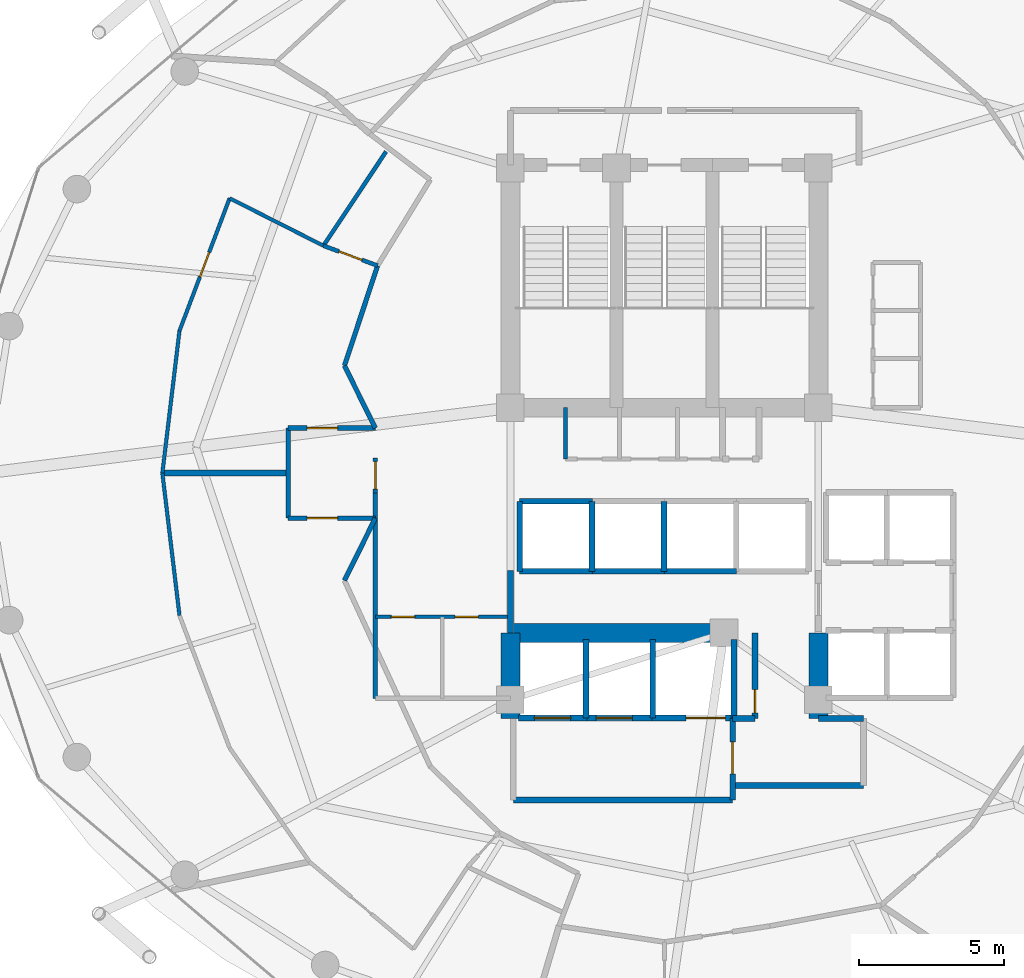
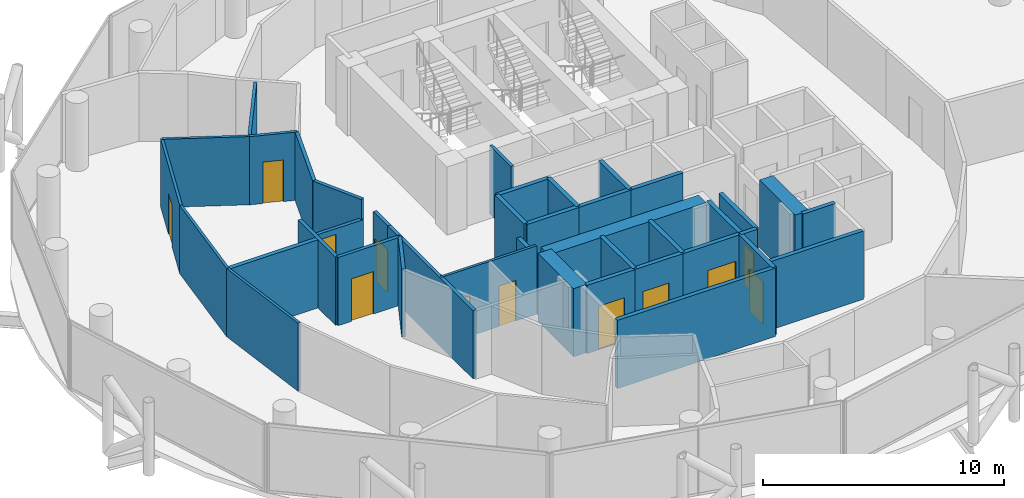
# One storey, part 22 of 26: 40 walls, 12 doors, 12 openings.
"""IFC4 building model written with IfcOpenShell, lengths in metres."""

from ifc_helpers import new_model, si_unit, direction, frame, frame_2d, origin, place, context, subcontext, project, spatial, rectangle, extrude, material, layer, layer_set, type_object, element, fill, save


model = new_model("IFC4")

# Units and contexts
model_context = context("Model", 3, precision=1e-05, world=origin(), true_north=direction((0.0, 1.0)))
body_context = subcontext(model_context, "Body", "Model", "MODEL_VIEW")
ifc_project = project(units=[si_unit("LENGTHUNIT", "METRE"), si_unit("AREAUNIT", "SQUARE_METRE"), si_unit("VOLUMEUNIT", "CUBIC_METRE"), si_unit("PLANEANGLEUNIT", "RADIAN"), si_unit("MASSUNIT", "GRAM", prefix="KILO")], contexts=[model_context])

# Site, building, storey
site_placement = place(None, origin())
site = spatial("IfcSite", under=ifc_project, at=site_placement, CompositionType="ELEMENT")
building_placement = place(site_placement, origin())
building = spatial("IfcBuilding", under=site, at=building_placement, Name="Nuhasar Tower", CompositionType="ELEMENT")
storey_placement = place(building_placement, frame((0.0, 0.0, 170.050048828125)))
storey = spatial("IfcBuildingStorey", under=building, at=storey_placement, Name="L41", CompositionType="ELEMENT", Elevation=170.050048828125)

# Walls
ifc_material_1 = material(Name="Concrete C65/80", Category="concrete")
ifc_layer_1 = layer(ifc_material_1, 0.64990234375)
ifc_layer_set_1 = layer_set([ifc_layer_1], Name="Concrete C65/80")
wall_type_1 = type_object("IfcWallType", Name="WL-CORE-650", PredefinedType="SHEAR", material=ifc_layer_set_1)
for number, where, z_axis, x_axis, name in (
    (1, (33.699951171875, 18.35009765625, 0.0), (0.0, 0.0, 1.0), (0.0, 1.0, 0.0), "L41 Core Shear Wall CW-SW CW-650"),
    (2, (44.300048828125, 18.35009765625, 0.0), (0.0, 0.0, 1.0), (0.0, 1.0, 0.0), "L41 Core Shear Wall CW-SE CW-650"),
):
    element("IfcWall", number, at=place(storey_placement, frame(where, z_axis=z_axis, x_axis=x_axis)), inside=storey, type_object=wall_type_1, Name=name, PredefinedType="SHEAR", context=body_context, shape_type="SweptSolid", body=[
        extrude(rectangle(XDim=2.949951171875, YDim=0.64990234375, at=frame_2d((1.47509765625, 0.0))), origin(), (0.0, 0.0, 1.0), 3.449951171875),
    ])
wall_1_placement = place(storey_placement, frame((33.699951171875, 21.300048828125, 0.0), z_axis=(0.0, 0.0, 1.0), x_axis=(1.0, 0.0, 0.0)))
element("IfcWall", 3, at=wall_1_placement, inside=storey, type_object=wall_type_1, Name="L41 Core Shear Wall CW-S1 CW-650", PredefinedType="SHEAR", context=body_context, shape_type="SweptSolid", body=[
    extrude(rectangle(XDim=7.550048828125, YDim=0.64990234375, at=frame_2d((3.77490234375, 0.0))), origin(), (0.0, 0.0, 1.0), 3.449951171875),
])
ifc_material_2 = material(Name="Gypsum Board", Category="gypsum")
ifc_layer_2 = layer(ifc_material_2, 0.159912109375)
ifc_layer_set_2 = layer_set([ifc_layer_2], Name="Gypsum Board")
wall_type_2 = type_object("IfcWallType", Name="WL-CORR-160", PredefinedType="PARTITIONING", material=ifc_layer_set_2)
wall_2_placement = place(storey_placement, frame((29.050048828125, 19.050048828125, 0.0), z_axis=(0.0, 0.0, 1.0), x_axis=(0.0, 1.0, 0.0)))
element("IfcWall", 4, at=wall_2_placement, inside=storey, type_object=wall_type_2, Name="L41 Interior Partition RECL-B1-W", PredefinedType="PARTITIONING", context=body_context, shape_type="SweptSolid", body=[
    extrude(rectangle(XDim=7.070068359375, YDim=0.159912109375, at=frame_2d((3.53515625, 0.0))), origin(), (0.0, 0.0, 1.0), 3.449951171875),
])

# Wall, opening, door
wall_3_placement = place(storey_placement, frame((29.050048828125, 26.1201171875, 0.0), z_axis=(0.0, 0.0, 1.0), x_axis=(0.0, 1.0, 0.0)))
wall_3 = element("IfcWall", 5, at=wall_3_placement, inside=storey, type_object=wall_type_2, Name="L41 Interior Partition WVEST-E", PredefinedType="PARTITIONING", context=body_context, shape_type="SweptSolid", body=[
    extrude(rectangle(XDim=1.199951171875, YDim=0.159912109375, at=frame_2d((0.60009765625, 0.0))), origin(), (0.0, 0.0, 1.0), 3.449951171875),
])
opening_1_placement = place(wall_3_placement, frame((0.125, 0.0, 0.0)))
opening_1 = element("IfcOpeningElement", 6, at=opening_1_placement, cuts=wall_3, Name="Opening DO-01", PredefinedType="OPENING", context=body_context, shape_type="SweptSolid", body=[
    extrude(rectangle(XDim=0.949951171875, YDim=2.14990234375, at=frame_2d((0.47509765625, 1.074951171875))), frame((0.0, 0.08984375, 0.0), z_axis=(0.0, -1.0, 0.0), x_axis=(1.0, 0.0, 0.0)), (0.0, 0.0, 1.0), 0.179931640625),
])
ifc_material_3 = material(Name="Timber Oak", Category="wood")
door_type_1 = type_object("IfcDoorType", Name="DR-OFFICE-FD30-950", OperationType="NOTDEFINED", PredefinedType="DOOR", material=ifc_material_3)
door_1_placement = place(opening_1_placement, origin())
door_1 = element("IfcDoor", 7, at=door_1_placement, inside=storey, type_object=door_type_1, Name="L41 West Arrival Foyer Core Door", OperationType="SINGLE_SWING_RIGHT", OverallHeight=2.14990234375, OverallWidth=0.949951171875, PredefinedType="DOOR", context=body_context, shape_type="SweptSolid", body=[
    extrude(rectangle(XDim=0.949951171875, YDim=2.14990234375, at=frame_2d((0.47509765625, 1.074951171875))), frame((0.0, 0.02490234375, 0.0), z_axis=(0.0, -1.0, 0.0), x_axis=(1.0, 0.0, 0.0)), (0.0, 0.0, 1.0), 0.050048828125),
])
fill(opening_1, door_1)

# Wall
wall_4_placement = place(storey_placement, frame((29.126953125, 33.93994140625, 0.0), z_axis=(0.0, 0.0, 1.0), x_axis=(-0.313985571683, -0.949427754374, 0.0)))
element("IfcWall", 8, at=wall_4_placement, inside=storey, type_object=wall_type_2, Name="L41 Interior Partition HWEST-CORE-N-20", PredefinedType="PARTITIONING", context=body_context, shape_type="SweptSolid", body=[
    extrude(rectangle(XDim=3.627197265625, YDim=0.159912109375, at=frame_2d((1.8134765625, 0.0))), origin(), (0.0, 0.0, 1.0), 3.449951171875),
])

# Wall, opening, door
wall_5_placement = place(storey_placement, frame((26.050048828125, 28.35009765625, 0.0), z_axis=(0.0, 0.0, 1.0), x_axis=(1.0, 0.0, 0.0)))
wall_5 = element("IfcWall", 9, at=wall_5_placement, inside=storey, type_object=wall_type_2, Name="L41 Interior Partition WVEST-N", PredefinedType="PARTITIONING", context=body_context, shape_type="SweptSolid", body=[
    extrude(rectangle(XDim=3.0, YDim=0.159912109375, at=frame_2d((1.5, 0.0))), origin(), (0.0, 0.0, 1.0), 2.43994140625),
])
opening_2_placement = place(wall_5_placement, frame((0.64990234375, 0.0, 0.0)))
opening_2 = element("IfcOpeningElement", 10, at=opening_2_placement, cuts=wall_5, Name="Opening DU-01", PredefinedType="OPENING", context=body_context, shape_type="SweptSolid", body=[
    extrude(rectangle(XDim=1.050048828125, YDim=2.14990234375, at=frame_2d((0.52490234375, 1.074951171875))), frame((0.0, 0.08984375, 0.0), z_axis=(0.0, -1.0, 0.0), x_axis=(1.0, 0.0, 0.0)), (0.0, 0.0, 1.0), 0.179931640625),
])
door_type_2 = type_object("IfcDoorType", Name="DR-SUITE-FD60-1050", OperationType="NOTDEFINED", PredefinedType="DOOR", material=ifc_material_3)
door_2_placement = place(opening_2_placement, origin())
door_2 = element("IfcDoor", 11, at=door_2_placement, inside=storey, type_object=door_type_2, Name="L41 North-West Sunset Suite Entrance", OperationType="SINGLE_SWING_LEFT", OverallHeight=2.14990234375, OverallWidth=1.050048828125, PredefinedType="DOOR", context=body_context, shape_type="SweptSolid", body=[
    extrude(rectangle(XDim=1.050048828125, YDim=2.14990234375, at=frame_2d((0.52490234375, 1.074951171875))), frame((0.0, 0.02490234375, 0.0), z_axis=(0.0, -1.0, 0.0), x_axis=(1.0, 0.0, 0.0)), (0.0, 0.0, 1.0), 0.050048828125),
])
fill(opening_2, door_2)

wall_6_placement = place(storey_placement, frame((26.050048828125, 25.25, 0.0), z_axis=(0.0, 0.0, 1.0), x_axis=(1.0, 0.0, 0.0)))
wall_6 = element("IfcWall", 12, at=wall_6_placement, inside=storey, type_object=wall_type_2, Name="L41 Interior Partition WVEST-S", PredefinedType="PARTITIONING", context=body_context, shape_type="SweptSolid", body=[
    extrude(rectangle(XDim=3.0, YDim=0.159912109375, at=frame_2d((1.5, 0.0))), origin(), (0.0, 0.0, 1.0), 3.449951171875),
])
opening_3_placement = place(wall_6_placement, frame((0.64990234375, 0.0, 0.0)))
opening_3 = element("IfcOpeningElement", 13, at=opening_3_placement, cuts=wall_6, Name="Opening DU-01", PredefinedType="OPENING", context=body_context, shape_type="SweptSolid", body=[
    extrude(rectangle(XDim=1.050048828125, YDim=2.14990234375, at=frame_2d((0.52490234375, 1.074951171875))), frame((0.0, 0.08984375, 0.0), z_axis=(0.0, -1.0, 0.0), x_axis=(1.0, 0.0, 0.0)), (0.0, 0.0, 1.0), 0.179931640625),
])
door_3_placement = place(opening_3_placement, origin())
door_3 = element("IfcDoor", 14, at=door_3_placement, inside=storey, type_object=door_type_2, Name="L41 South-West Presidential Suite Entrance", OperationType="SINGLE_SWING_LEFT", OverallHeight=2.14990234375, OverallWidth=1.050048828125, PredefinedType="DOOR", context=body_context, shape_type="SweptSolid", body=[
    extrude(rectangle(XDim=1.050048828125, YDim=2.14990234375, at=frame_2d((0.52490234375, 1.074951171875))), frame((0.0, 0.02490234375, 0.0), z_axis=(0.0, -1.0, 0.0), x_axis=(1.0, 0.0, 0.0)), (0.0, 0.0, 1.0), 0.050048828125),
])
fill(opening_3, door_3)

# Walls
wall_7_placement = place(storey_placement, frame((26.050048828125, 25.25, 0.0), z_axis=(0.0, 0.0, 1.0), x_axis=(0.0, 1.0, 0.0)))
element("IfcWall", 15, at=wall_7_placement, inside=storey, type_object=wall_type_2, Name="L41 Interior Partition WVEST-W", PredefinedType="PARTITIONING", context=body_context, shape_type="SweptSolid", body=[
    extrude(rectangle(XDim=3.10009765625, YDim=0.159912109375, at=frame_2d((1.550048828125, 0.0))), origin(), (0.0, 0.0, 1.0), 3.449951171875),
])
for number, where, z_axis, x_axis, name in (
    (16, (27.988037109375, 30.49609375, 0.0), (0.0, 0.0, 1.0), (0.443539160525, -0.896254993337, 0.0), "L41 Interior Partition WVEST-CN"),
    (17, (27.988037109375, 23.10400390625, 0.0), (0.0, 0.0, 1.0), (0.443539160525, 0.896254993337, 0.0), "L41 Interior Partition WVEST-CS"),
):
    element("IfcWall", number, at=place(storey_placement, frame(where, z_axis=z_axis, x_axis=x_axis)), inside=storey, type_object=wall_type_2, Name=name, PredefinedType="PARTITIONING", context=body_context, shape_type="SweptSolid", body=[
        extrude(rectangle(XDim=2.394287109375, YDim=0.159912109375, at=frame_2d((1.197265625, 0.0))), origin(), (0.0, 0.0, 1.0), 3.449951171875),
    ])
ifc_material_4 = material(Name="Concrete C45/55", Category="concrete")
ifc_layer_3 = layer(ifc_material_4, 0.199951171875)
ifc_layer_set_3 = layer_set([ifc_layer_3], Name="Concrete C45/55")
wall_type_3 = type_object("IfcWallType", Name="WL-LOBBY-200", PredefinedType="SOLIDWALL", material=ifc_layer_set_3)
wall_8_placement = place(storey_placement, frame((33.699951171875, 21.300048828125, 0.0), z_axis=(0.0, 0.0, 1.0), x_axis=(0.0, 1.0, 0.0)))
element("IfcWall", 18, at=wall_8_placement, inside=storey, type_object=wall_type_3, Name="L41 Interior Partition LLBH-W", PredefinedType="SOLIDWALL", context=body_context, shape_type="SweptSolid", body=[
    extrude(rectangle(XDim=2.14990234375, YDim=0.199951171875, at=frame_2d((1.074951171875, 0.0))), origin(), (0.0, 0.0, 1.0), 2.8349609375),
])
wall_9_placement = place(storey_placement, frame((33.800048828125, 15.550048828125, 0.0), z_axis=(0.0, 0.0, 1.0), x_axis=(1.0, 0.0, 0.0)))
element("IfcWall", 19, at=wall_9_placement, inside=storey, type_object=wall_type_3, Name="L41 Interior Partition FFL-S", PredefinedType="SOLIDWALL", context=body_context, shape_type="SweptSolid", body=[
    extrude(rectangle(XDim=7.550048828125, YDim=0.199951171875, at=frame_2d((3.77490234375, 0.0))), origin(), (0.0, 0.0, 1.0), 3.449951171875),
])

# Wall, opening, door
wall_10_placement = place(storey_placement, frame((41.35009765625, 15.550048828125, 0.0), z_axis=(0.0, 0.0, 1.0), x_axis=(0.0, 1.0, 0.0)))
wall_10 = element("IfcWall", 20, at=wall_10_placement, inside=storey, type_object=wall_type_3, Name="L41 Interior Partition FFL-E", PredefinedType="SOLIDWALL", context=body_context, shape_type="SweptSolid", body=[
    extrude(rectangle(XDim=2.800048828125, YDim=0.199951171875, at=frame_2d((1.39990234375, 0.0))), origin(), (0.0, 0.0, 1.0), 3.449951171875),
])
opening_4_placement = place(wall_10_placement, frame((0.89990234375, 0.0, 0.0)))
opening_4 = element("IfcOpeningElement", 21, at=opening_4_placement, cuts=wall_10, Name="Opening DS-02", PredefinedType="OPENING", context=body_context, shape_type="SweptSolid", body=[
    extrude(rectangle(XDim=1.10009765625, YDim=2.14990234375, at=frame_2d((0.550048828125, 1.074951171875))), frame((0.0, 0.10986328125, 0.0), z_axis=(0.0, -1.0, 0.0), x_axis=(1.0, 0.0, 0.0)), (0.0, 0.0, 1.0), 0.219970703125),
])
ifc_material_5 = material(Name="Steel S355", Category="steel")
door_type_3 = type_object("IfcDoorType", Name="DR-FFL-FD120-1100", OperationType="NOTDEFINED", PredefinedType="DOOR", material=ifc_material_5)
door_4_placement = place(opening_4_placement, origin())
door_4 = element("IfcDoor", 22, at=door_4_placement, inside=storey, type_object=door_type_3, Name="L41 Firefighting Lobby Door", OperationType="SINGLE_SWING_RIGHT", OverallHeight=2.14990234375, OverallWidth=1.10009765625, PredefinedType="DOOR", context=body_context, shape_type="SweptSolid", body=[
    extrude(rectangle(XDim=1.10009765625, YDim=2.14990234375, at=frame_2d((0.550048828125, 1.074951171875))), frame((0.0, 0.02490234375, 0.0), z_axis=(0.0, -1.0, 0.0), x_axis=(1.0, 0.0, 0.0)), (0.0, 0.0, 1.0), 0.050048828125),
])
fill(opening_4, door_4)

# Walls
wall_11_placement = place(storey_placement, frame((41.35009765625, 16.050048828125, 0.0), z_axis=(0.0, 0.0, 1.0), x_axis=(1.0, 0.0, 0.0)))
element("IfcWall", 23, at=wall_11_placement, inside=storey, type_object=wall_type_3, Name="L41 Interior Partition SVLV-S", PredefinedType="SOLIDWALL", context=body_context, shape_type="SweptSolid", body=[
    extrude(rectangle(XDim=4.5, YDim=0.199951171875, at=frame_2d((2.25, 0.0))), origin(), (0.0, 0.0, 1.0), 3.449951171875),
])
wall_12_placement = place(storey_placement, frame((44.300048828125, 18.35009765625, 0.0), z_axis=(0.0, 0.0, 1.0), x_axis=(1.0, 0.0, 0.0)))
element("IfcWall", 24, at=wall_12_placement, inside=storey, type_object=wall_type_3, Name="L41 Interior Partition SVLV-N", PredefinedType="SOLIDWALL", context=body_context, shape_type="SweptSolid", body=[
    extrude(rectangle(XDim=1.550048828125, YDim=0.199951171875, at=frame_2d((0.77490234375, 0.0))), origin(), (0.0, 0.0, 1.0), 3.449951171875),
])

# Wall, openings, doors
ifc_layer_4 = layer(ifc_material_2, 0.125)
ifc_layer_set_4 = layer_set([ifc_layer_4], Name="Gypsum Board")
wall_type_4 = type_object("IfcWallType", Name="WL-PART-125", PredefinedType="PARTITIONING", material=ifc_layer_set_4)
wall_13_placement = place(storey_placement, frame((33.60009765625, 21.85009765625, 0.0), z_axis=(0.0, 0.0, 1.0), x_axis=(-1.0, 0.0, 0.0)))
wall_13 = element("IfcWall", 25, at=wall_13_placement, inside=storey, type_object=wall_type_4, Name="L41 Interior Partition HKPK1-N", PredefinedType="PARTITIONING", context=body_context, shape_type="SweptSolid", body=[
    extrude(rectangle(XDim=4.550048828125, YDim=0.125, at=frame_2d((2.27490234375, 0.0))), origin(), (0.0, 0.0, 1.0), 3.449951171875),
])
opening_5_placement = place(wall_13_placement, frame((3.199951171875, 0.0, 0.0)))
opening_5 = element("IfcOpeningElement", 26, at=opening_5_placement, cuts=wall_13, Name="Opening DM-01", PredefinedType="OPENING", context=body_context, shape_type="SweptSolid", body=[
    extrude(rectangle(XDim=0.800048828125, YDim=2.050048828125, at=frame_2d((0.39990234375, 1.02490234375))), frame((0.0, 0.072509765625, 0.0), z_axis=(0.0, -1.0, 0.0), x_axis=(1.0, 0.0, 0.0)), (0.0, 0.0, 1.0), 0.14501953125),
])
opening_6_placement = place(wall_13_placement, frame((1.0, 0.0, 0.0)))
opening_6 = element("IfcOpeningElement", 27, at=opening_6_placement, cuts=wall_13, Name="Opening DM-01", PredefinedType="OPENING", context=body_context, shape_type="SweptSolid", body=[
    extrude(rectangle(XDim=0.800048828125, YDim=2.050048828125, at=frame_2d((0.39990234375, 1.02490234375))), frame((0.0, 0.072509765625, 0.0), z_axis=(0.0, -1.0, 0.0), x_axis=(1.0, 0.0, 0.0)), (0.0, 0.0, 1.0), 0.14501953125),
])
door_type_4 = type_object("IfcDoorType", Name="DR-RISER-FD60-800", OperationType="NOTDEFINED", PredefinedType="DOOR", material=ifc_material_5)
door_5_placement = place(opening_5_placement, origin())
door_5 = element("IfcDoor", 28, at=door_5_placement, inside=storey, type_object=door_type_4, Name="L41 Housekeeping Closet Door", OperationType="SINGLE_SWING_RIGHT", OverallHeight=2.050048828125, OverallWidth=0.800048828125, PredefinedType="DOOR", context=body_context, shape_type="SweptSolid", body=[
    extrude(rectangle(XDim=0.800048828125, YDim=2.050048828125, at=frame_2d((0.39990234375, 1.02490234375))), frame((0.0, 0.02490234375, 0.0), z_axis=(0.0, -1.0, 0.0), x_axis=(1.0, 0.0, 0.0)), (0.0, 0.0, 1.0), 0.050048828125),
])
fill(opening_5, door_5)
door_6_placement = place(opening_6_placement, origin())
door_6 = element("IfcDoor", 29, at=door_6_placement, inside=storey, type_object=door_type_4, Name="L41 Linen Store Door", OperationType="SINGLE_SWING_LEFT", OverallHeight=2.050048828125, OverallWidth=0.800048828125, PredefinedType="DOOR", context=body_context, shape_type="SweptSolid", body=[
    extrude(rectangle(XDim=0.800048828125, YDim=2.050048828125, at=frame_2d((0.39990234375, 1.02490234375))), frame((0.0, 0.02490234375, 0.0), z_axis=(0.0, -1.0, 0.0), x_axis=(1.0, 0.0, 0.0)), (0.0, 0.0, 1.0), 0.050048828125),
])
fill(opening_6, door_6)

# Wall
wall_14_placement = place(storey_placement, frame((27.264892578125, 34.625, 0.0), z_axis=(0.0, 0.0, 1.0), x_axis=(-0.892204285049, 0.451632055705, 0.0)))
element("IfcWall", 30, at=wall_14_placement, inside=storey, type_object=wall_type_4, Name="L41 Interior Partition HWS1-S", PredefinedType="PARTITIONING", context=body_context, shape_type="SweptSolid", body=[
    extrude(rectangle(XDim=3.6201171875, YDim=0.125, at=frame_2d((1.81005859375, 0.0))), origin(), (0.0, 0.0, 1.0), 3.449951171875),
])

# Wall, opening, door
wall_15_placement = place(storey_placement, frame((24.034912109375, 36.260009765625, 0.0), z_axis=(0.0, 0.0, 1.0), x_axis=(-0.353765495648, -0.935334151033, 0.0)))
wall_15 = element("IfcWall", 31, at=wall_15_placement, inside=storey, type_object=wall_type_4, Name="L41 Interior Partition HWS1-ARC-20", PredefinedType="PARTITIONING", context=body_context, shape_type="SweptSolid", body=[
    extrude(rectangle(XDim=4.87841796875, YDim=0.125, at=frame_2d((2.439208984375, 0.0))), origin(), (0.0, 0.0, 1.0), 3.449951171875),
])
opening_7_placement = place(wall_15_placement, frame((1.989013671875, 0.0, 0.0)))
opening_7 = element("IfcOpeningElement", 32, at=opening_7_placement, cuts=wall_15, Name="Opening DR-01", PredefinedType="OPENING", context=body_context, shape_type="SweptSolid", body=[
    extrude(rectangle(XDim=0.89990234375, YDim=2.10009765625, at=frame_2d((0.449951171875, 1.050048828125))), frame((0.0, 0.072509765625, 0.0), z_axis=(0.0, -1.0, 0.0), x_axis=(1.0, 0.0, 0.0)), (0.0, 0.0, 1.0), 0.14501953125),
])
door_type_5 = type_object("IfcDoorType", Name="DR-ROOM-900", OperationType="NOTDEFINED", PredefinedType="DOOR", material=ifc_material_3)
door_7_placement = place(opening_7_placement, origin())
door_7 = element("IfcDoor", 33, at=door_7_placement, inside=storey, type_object=door_type_5, Name="L41 North-West Sunset Suite Bedroom Door", OperationType="SINGLE_SWING_LEFT", OverallHeight=2.10009765625, OverallWidth=0.89990234375, PredefinedType="DOOR", context=body_context, shape_type="SweptSolid", body=[
    extrude(rectangle(XDim=0.89990234375, YDim=2.10009765625, at=frame_2d((0.449951171875, 1.050048828125))), frame((0.0, 0.02490234375, 0.0), z_axis=(0.0, -1.0, 0.0), x_axis=(1.0, 0.0, 0.0)), (0.0, 0.0, 1.0), 0.050048828125),
])
fill(opening_7, door_7)

# Walls
for number, where, z_axis, x_axis, name in (
    (34, (22.30908203125, 31.697021484375, 0.0), (0.0, 0.0, 1.0), (-0.119439942395, -0.9928414275, 0.0), "L41 Interior Partition HWS1-ARC-22"),
    (35, (21.719970703125, 26.800048828125, 0.0), (0.0, 0.0, 1.0), (0.119439942395, -0.9928414275, 0.0), "L41 Interior Partition HWS2-ARC-24"),
):
    element("IfcWall", number, at=place(storey_placement, frame(where, z_axis=z_axis, x_axis=x_axis)), inside=storey, type_object=wall_type_4, Name=name, PredefinedType="PARTITIONING", context=body_context, shape_type="SweptSolid", body=[
        extrude(rectangle(XDim=4.932373046875, YDim=0.125, at=frame_2d((2.46630859375, 0.0))), origin(), (0.0, 0.0, 1.0), 3.449951171875),
    ])
ifc_layer_5 = layer(ifc_material_4, 0.199951171875)
ifc_layer_set_5 = layer_set([ifc_layer_5], Name="Concrete C45/55")
wall_type_5 = type_object("IfcWallType", Name="WL-SHAFT-200", PredefinedType="SOLIDWALL", material=ifc_layer_set_5)
for number, where, z_axis, x_axis, name in (
    (36, (34.02001953125, 23.419921875, 0.0), (0.0, 0.0, 1.0), (1.0, 0.0, 0.0), "L41 Interior Partition SHF-PL-H01-S"),
    (37, (34.02001953125, 25.830078125, 0.0), (0.0, 0.0, 1.0), (1.0, 0.0, 0.0), "L41 Interior Partition SHF-PL-H01-N"),
):
    element("IfcWall", number, at=place(storey_placement, frame(where, z_axis=z_axis, x_axis=x_axis)), inside=storey, type_object=wall_type_5, Name=name, PredefinedType="SOLIDWALL", context=body_context, shape_type="SweptSolid", body=[
        extrude(rectangle(XDim=2.5, YDim=0.199951171875, at=frame_2d((1.25, 0.0))), origin(), (0.0, 0.0, 1.0), 3.449951171875),
    ])
for number, where, z_axis, x_axis, name in (
    (38, (34.02001953125, 23.419921875, 0.0), (0.0, 0.0, 1.0), (0.0, 1.0, 0.0), "L41 Interior Partition SHF-PL-H01-W"),
    (39, (36.510009765625, 23.419921875, 0.0), (0.0, 0.0, 1.0), (0.0, 1.0, 0.0), "L41 Interior Partition SHF-PL-H01-E"),
):
    element("IfcWall", number, at=place(storey_placement, frame(where, z_axis=z_axis, x_axis=x_axis)), inside=storey, type_object=wall_type_5, Name=name, PredefinedType="SOLIDWALL", context=body_context, shape_type="SweptSolid", body=[
        extrude(rectangle(XDim=2.41015625, YDim=0.199951171875, at=frame_2d((1.205078125, 0.0))), origin(), (0.0, 0.0, 1.0), 3.449951171875),
    ])
wall_16_placement = place(storey_placement, frame((36.5, 23.419921875, 0.0), z_axis=(0.0, 0.0, 1.0), x_axis=(1.0, 0.0, 0.0)))
element("IfcWall", 40, at=wall_16_placement, inside=storey, type_object=wall_type_5, Name="L41 Interior Partition SHF-PL-H02-S", PredefinedType="SOLIDWALL", context=body_context, shape_type="SweptSolid", body=[
    extrude(rectangle(XDim=2.5, YDim=0.199951171875, at=frame_2d((1.25, 0.0))), origin(), (0.0, 0.0, 1.0), 3.449951171875),
])
wall_17_placement = place(storey_placement, frame((38.989990234375, 23.419921875, 0.0), z_axis=(0.0, 0.0, 1.0), x_axis=(0.0, 1.0, 0.0)))
element("IfcWall", 41, at=wall_17_placement, inside=storey, type_object=wall_type_5, Name="L41 Interior Partition SHF-PL-H02-E", PredefinedType="SOLIDWALL", context=body_context, shape_type="SweptSolid", body=[
    extrude(rectangle(XDim=2.41015625, YDim=0.199951171875, at=frame_2d((1.205078125, 0.0))), origin(), (0.0, 0.0, 1.0), 3.449951171875),
])
wall_18_placement = place(storey_placement, frame((38.97998046875, 23.419921875, 0.0), z_axis=(0.0, 0.0, 1.0), x_axis=(1.0, 0.0, 0.0)))
element("IfcWall", 42, at=wall_18_placement, inside=storey, type_object=wall_type_5, Name="L41 Interior Partition SHF-PL-H03-S", PredefinedType="SOLIDWALL", context=body_context, shape_type="SweptSolid", body=[
    extrude(rectangle(XDim=2.5, YDim=0.199951171875, at=frame_2d((1.25, 0.0))), origin(), (0.0, 0.0, 1.0), 3.449951171875),
])

# Wall, opening, door
wall_19_placement = place(storey_placement, frame((33.969970703125, 18.3701171875, 0.0), z_axis=(0.0, 0.0, 1.0), x_axis=(1.0, 0.0, 0.0)))
wall_19 = element("IfcWall", 43, at=wall_19_placement, inside=storey, type_object=wall_type_5, Name="L41 Interior Partition SHF-FFL-01-S", PredefinedType="SOLIDWALL", context=body_context, shape_type="SweptSolid", body=[
    extrude(rectangle(XDim=2.360107421875, YDim=0.199951171875, at=frame_2d((1.18017578125, 0.0))), origin(), (0.0, 0.0, 1.0), 3.449951171875),
])
opening_8_placement = place(wall_19_placement, frame((0.554931640625, 0.0, 0.0)))
opening_8 = element("IfcOpeningElement", 44, at=opening_8_placement, cuts=wall_19, Name="Opening LD-F01", PredefinedType="OPENING", context=body_context, shape_type="SweptSolid", body=[
    extrude(rectangle(XDim=1.25, YDim=2.199951171875, at=frame_2d((0.625, 1.10009765625))), frame((0.0, 0.10986328125, 0.0), z_axis=(0.0, -1.0, 0.0), x_axis=(1.0, 0.0, 0.0)), (0.0, 0.0, 1.0), 0.219970703125),
])
ifc_material_6 = material(Name="Stainless Steel 316L", Category="steel")
door_type_6 = type_object("IfcDoorType", Name="LD-FFL-1250", OperationType="DOUBLE_DOOR_SLIDING", PredefinedType="DOOR", material=ifc_material_6)
door_8_placement = place(opening_8_placement, origin())
door_8 = element("IfcDoor", 45, at=door_8_placement, inside=storey, type_object=door_type_6, Name="L41 Lift Landing Door FFL-01", OperationType="DOUBLE_DOOR_SLIDING", OverallHeight=2.199951171875, OverallWidth=1.25, PredefinedType="DOOR", context=body_context, shape_type="SweptSolid", body=[
    extrude(rectangle(XDim=1.25, YDim=2.199951171875, at=frame_2d((0.625, 1.10009765625))), frame((0.0, 0.02490234375, 0.0), z_axis=(0.0, -1.0, 0.0), x_axis=(1.0, 0.0, 0.0)), (0.0, 0.0, 1.0), 0.050048828125),
])
fill(opening_8, door_8)

# Wall
wall_20_placement = place(storey_placement, frame((36.300048828125, 18.3701171875, 0.0), z_axis=(0.0, 0.0, 1.0), x_axis=(0.0, 1.0, 0.0)))
element("IfcWall", 46, at=wall_20_placement, inside=storey, type_object=wall_type_5, Name="L41 Interior Partition SHF-FFL-01-E", PredefinedType="SOLIDWALL", context=body_context, shape_type="SweptSolid", body=[
    extrude(rectangle(XDim=2.7099609375, YDim=0.199951171875, at=frame_2d((1.35498046875, 0.0))), origin(), (0.0, 0.0, 1.0), 3.449951171875),
])

# Wall, opening, door
wall_21_placement = place(storey_placement, frame((36.27001953125, 18.3701171875, 0.0), z_axis=(0.0, 0.0, 1.0), x_axis=(1.0, 0.0, 0.0)))
wall_21 = element("IfcWall", 47, at=wall_21_placement, inside=storey, type_object=wall_type_5, Name="L41 Interior Partition SHF-FFL-02-S", PredefinedType="SOLIDWALL", context=body_context, shape_type="SweptSolid", body=[
    extrude(rectangle(XDim=2.35986328125, YDim=0.199951171875, at=frame_2d((1.179931640625, 0.0))), origin(), (0.0, 0.0, 1.0), 3.449951171875),
])
opening_9_placement = place(wall_21_placement, frame((0.3798828125, 0.0, 0.0)))
opening_9 = element("IfcOpeningElement", 48, at=opening_9_placement, cuts=wall_21, Name="Opening LD-F02", PredefinedType="OPENING", context=body_context, shape_type="SweptSolid", body=[
    extrude(rectangle(XDim=1.25, YDim=2.199951171875, at=frame_2d((0.625, 1.10009765625))), frame((0.0, 0.10986328125, 0.0), z_axis=(0.0, -1.0, 0.0), x_axis=(1.0, 0.0, 0.0)), (0.0, 0.0, 1.0), 0.219970703125),
])
door_9_placement = place(opening_9_placement, origin())
door_9 = element("IfcDoor", 49, at=door_9_placement, inside=storey, type_object=door_type_6, Name="L41 Lift Landing Door FFL-02", OperationType="DOUBLE_DOOR_SLIDING", OverallHeight=2.199951171875, OverallWidth=1.25, PredefinedType="DOOR", context=body_context, shape_type="SweptSolid", body=[
    extrude(rectangle(XDim=1.25, YDim=2.199951171875, at=frame_2d((0.625, 1.10009765625))), frame((0.0, 0.02490234375, 0.0), z_axis=(0.0, -1.0, 0.0), x_axis=(1.0, 0.0, 0.0)), (0.0, 0.0, 1.0), 0.050048828125),
])
fill(opening_9, door_9)

# Wall
wall_22_placement = place(storey_placement, frame((38.60009765625, 18.3701171875, 0.0), z_axis=(0.0, 0.0, 1.0), x_axis=(0.0, 1.0, 0.0)))
element("IfcWall", 50, at=wall_22_placement, inside=storey, type_object=wall_type_5, Name="L41 Interior Partition SHF-FFL-02-E", PredefinedType="SOLIDWALL", context=body_context, shape_type="SweptSolid", body=[
    extrude(rectangle(XDim=2.7099609375, YDim=0.199951171875, at=frame_2d((1.35498046875, 0.0))), origin(), (0.0, 0.0, 1.0), 3.449951171875),
])

# Wall, opening, door
wall_23_placement = place(storey_placement, frame((38.570068359375, 18.3701171875, 0.0), z_axis=(0.0, 0.0, 1.0), x_axis=(1.0, 0.0, 0.0)))
wall_23 = element("IfcWall", 51, at=wall_23_placement, inside=storey, type_object=wall_type_5, Name="L41 Interior Partition SHF-SVL-01-S", PredefinedType="SOLIDWALL", context=body_context, shape_type="SweptSolid", body=[
    extrude(rectangle(XDim=2.829833984375, YDim=0.199951171875, at=frame_2d((1.4150390625, 0.0))), origin(), (0.0, 0.0, 1.0), 3.449951171875),
])
opening_10_placement = place(wall_23_placement, frame((1.179931640625, 0.0, 0.0)))
opening_10 = element("IfcOpeningElement", 52, at=opening_10_placement, cuts=wall_23, Name="Opening LD-S01", PredefinedType="OPENING", context=body_context, shape_type="SweptSolid", body=[
    extrude(rectangle(XDim=1.35009765625, YDim=2.179931640625, at=frame_2d((0.675048828125, 1.08984375))), frame((0.0, 0.10986328125, 0.0), z_axis=(0.0, -1.0, 0.0), x_axis=(1.0, 0.0, 0.0)), (0.0, 0.0, 1.0), 0.219970703125),
])
door_type_7 = type_object("IfcDoorType", Name="LD-SVL-1350", OperationType="DOUBLE_DOOR_SLIDING", PredefinedType="DOOR", material=ifc_material_6)
door_10_placement = place(opening_10_placement, origin())
door_10 = element("IfcDoor", 53, at=door_10_placement, inside=storey, type_object=door_type_7, Name="L41 Lift Landing Door SVL-01", OperationType="DOUBLE_DOOR_SLIDING", OverallHeight=2.179931640625, OverallWidth=1.35009765625, PredefinedType="DOOR", context=body_context, shape_type="SweptSolid", body=[
    extrude(rectangle(XDim=1.35009765625, YDim=2.179931640625, at=frame_2d((0.675048828125, 1.08984375))), frame((0.0, 0.02490234375, 0.0), z_axis=(0.0, -1.0, 0.0), x_axis=(1.0, 0.0, 0.0)), (0.0, 0.0, 1.0), 0.050048828125),
])
fill(opening_10, door_10)

# Wall
wall_24_placement = place(storey_placement, frame((41.39990234375, 18.3701171875, 0.0), z_axis=(0.0, 0.0, 1.0), x_axis=(0.0, 1.0, 0.0)))
element("IfcWall", 54, at=wall_24_placement, inside=storey, type_object=wall_type_5, Name="L41 Interior Partition SHF-SVL-01-E", PredefinedType="SOLIDWALL", context=body_context, shape_type="SweptSolid", body=[
    extrude(rectangle(XDim=2.7099609375, YDim=0.199951171875, at=frame_2d((1.35498046875, 0.0))), origin(), (0.0, 0.0, 1.0), 3.449951171875),
])

# Wall, opening, door
wall_25_placement = place(storey_placement, frame((42.1201171875, 18.35009765625, 0.0), z_axis=(0.0, 0.0, 1.0), x_axis=(0.0, 1.0, 0.0)))
wall_25 = element("IfcWall", 55, at=wall_25_placement, inside=storey, type_object=wall_type_5, Name="L41 Interior Partition RSR-E", PredefinedType="SOLIDWALL", context=body_context, shape_type="SweptSolid", body=[
    extrude(rectangle(XDim=2.949951171875, YDim=0.199951171875, at=frame_2d((1.47509765625, 0.0))), origin(), (0.0, 0.0, 1.0), 3.449951171875),
])
opening_11_placement = place(wall_25_placement, frame((0.199951171875, 0.0, 0.0)))
opening_11 = element("IfcOpeningElement", 56, at=opening_11_placement, cuts=wall_25, Name="Opening DM-01", PredefinedType="OPENING", context=body_context, shape_type="SweptSolid", body=[
    extrude(rectangle(XDim=0.800048828125, YDim=2.050048828125, at=frame_2d((0.39990234375, 1.02490234375))), frame((0.0, 0.10986328125, 0.0), z_axis=(0.0, -1.0, 0.0), x_axis=(1.0, 0.0, 0.0)), (0.0, 0.0, 1.0), 0.219970703125),
])
door_11_placement = place(opening_11_placement, origin())
door_11 = element("IfcDoor", 57, at=door_11_placement, inside=storey, type_object=door_type_4, Name="L41 MEP Riser Access Door", OperationType="SINGLE_SWING_LEFT", OverallHeight=2.050048828125, OverallWidth=0.800048828125, PredefinedType="DOOR", context=body_context, shape_type="SweptSolid", body=[
    extrude(rectangle(XDim=0.800048828125, YDim=2.050048828125, at=frame_2d((0.39990234375, 1.02490234375))), frame((0.0, 0.02490234375, 0.0), z_axis=(0.0, -1.0, 0.0), x_axis=(1.0, 0.0, 0.0)), (0.0, 0.0, 1.0), 0.050048828125),
])
fill(opening_11, door_11)

# Walls
wall_26_placement = place(storey_placement, frame((41.35009765625, 18.35009765625, 0.0), z_axis=(0.0, 0.0, 1.0), x_axis=(1.0, 0.0, 0.0)))
element("IfcWall", 58, at=wall_26_placement, inside=storey, type_object=wall_type_5, Name="L41 Interior Partition RSR-S", PredefinedType="SOLIDWALL", context=body_context, shape_type="SweptSolid", body=[
    extrude(rectangle(XDim=0.77001953125, YDim=0.199951171875, at=frame_2d((0.385009765625, 0.0))), origin(), (0.0, 0.0, 1.0), 3.449951171875),
])
ifc_material_7 = material(Name="Concrete C40/50 precast", Category="concrete")
ifc_layer_6 = layer(ifc_material_7, 0.199951171875)
ifc_layer_set_6 = layer_set([ifc_layer_6], Name="Concrete C40/50 precast")
wall_type_6 = type_object("IfcWallType", Name="WL-UNIT-200", PredefinedType="PARTITIONING", material=ifc_layer_set_6)
wall_27_placement = place(storey_placement, frame((26.050048828125, 26.800048828125, 0.0), z_axis=(0.0, 0.0, 1.0), x_axis=(-1.0, 0.0, 0.0)))
element("IfcWall", 59, at=wall_27_placement, inside=storey, type_object=wall_type_6, Name="L41 Interior Partition HWEST-DIV-IN", PredefinedType="PARTITIONING", context=body_context, shape_type="SweptSolid", body=[
    extrude(rectangle(XDim=4.330078125, YDim=0.199951171875, at=frame_2d((2.1650390625, 0.0))), origin(), (0.0, 0.0, 1.0), 3.449951171875),
])
ifc_layer_7 = layer(ifc_material_7, 0.139892578125)
ifc_layer_set_7 = layer_set([ifc_layer_7], Name="Concrete C40/50 precast")
wall_type_7 = type_object("IfcWallType", Name="WL-WET-140", PredefinedType="PARTITIONING", material=ifc_layer_set_7)
wall_28_placement = place(storey_placement, frame((35.60009765625, 27.280029296875, 0.0), z_axis=(0.0, 0.0, 1.0), x_axis=(0.0, 1.0, 0.0)))
element("IfcWall", 60, at=wall_28_placement, inside=storey, type_object=wall_type_7, Name="L41 Interior Partition CSVC-W", PredefinedType="PARTITIONING", context=body_context, shape_type="SweptSolid", body=[
    extrude(rectangle(XDim=1.77001953125, YDim=0.139892578125, at=frame_2d((0.885009765625, 0.0))), origin(), (0.0, 0.0, 1.0), 3.449951171875),
])

# Wall, opening, door
wall_29_placement = place(storey_placement, frame((27.264892578125, 34.625, 0.0), z_axis=(0.0, 0.0, 1.0), x_axis=(0.938500583084, -0.345277649945, 0.0)))
wall_29 = element("IfcWall", 61, at=wall_29_placement, inside=storey, type_object=wall_type_7, Name="L41 Interior Partition HBW1-S", PredefinedType="PARTITIONING", context=body_context, shape_type="SweptSolid", body=[
    extrude(rectangle(XDim=1.984130859375, YDim=0.139892578125, at=frame_2d((0.9921875, 0.0))), origin(), (0.0, 0.0, 1.0), 3.449951171875),
])
opening_12_placement = place(wall_29_placement, frame((0.56689453125, 0.0, 0.0)))
opening_12 = element("IfcOpeningElement", 62, at=opening_12_placement, cuts=wall_29, Name="Opening DB-01", PredefinedType="OPENING", context=body_context, shape_type="SweptSolid", body=[
    extrude(rectangle(XDim=0.85009765625, YDim=2.10009765625, at=frame_2d((0.425048828125, 1.050048828125))), frame((0.0, 0.080078125, 0.0), z_axis=(0.0, -1.0, 0.0), x_axis=(1.0, 0.0, 0.0)), (0.0, 0.0, 1.0), 0.159912109375),
])
door_type_8 = type_object("IfcDoorType", Name="DR-BATH-850", OperationType="NOTDEFINED", PredefinedType="DOOR", material=ifc_material_3)
door_12_placement = place(opening_12_placement, origin())
door_12 = element("IfcDoor", 63, at=door_12_placement, inside=storey, type_object=door_type_8, Name="L41 North-West Sunset Suite En-Suite Door", OperationType="SINGLE_SWING_RIGHT", OverallHeight=2.10009765625, OverallWidth=0.85009765625, PredefinedType="DOOR", context=body_context, shape_type="SweptSolid", body=[
    extrude(rectangle(XDim=0.85009765625, YDim=2.10009765625, at=frame_2d((0.425048828125, 1.050048828125))), frame((0.0, 0.02490234375, 0.0), z_axis=(0.0, -1.0, 0.0), x_axis=(1.0, 0.0, 0.0)), (0.0, 0.0, 1.0), 0.050048828125),
])
fill(opening_12, door_12)

# Wall
wall_30_placement = place(storey_placement, frame((29.4189453125, 37.865966796875, 0.0), z_axis=(0.0, 0.0, 1.0), x_axis=(-0.553526949376, -0.832831265212, 0.0)))
element("IfcWall", 64, at=wall_30_placement, inside=storey, type_object=wall_type_7, Name="L41 Interior Partition HBW1-E", PredefinedType="PARTITIONING", context=body_context, shape_type="SweptSolid", body=[
    extrude(rectangle(XDim=3.8916015625, YDim=0.139892578125, at=frame_2d((1.94580078125, 0.0))), origin(), (0.0, 0.0, 1.0), 3.449951171875),
])

save(model, "model.ifc")
